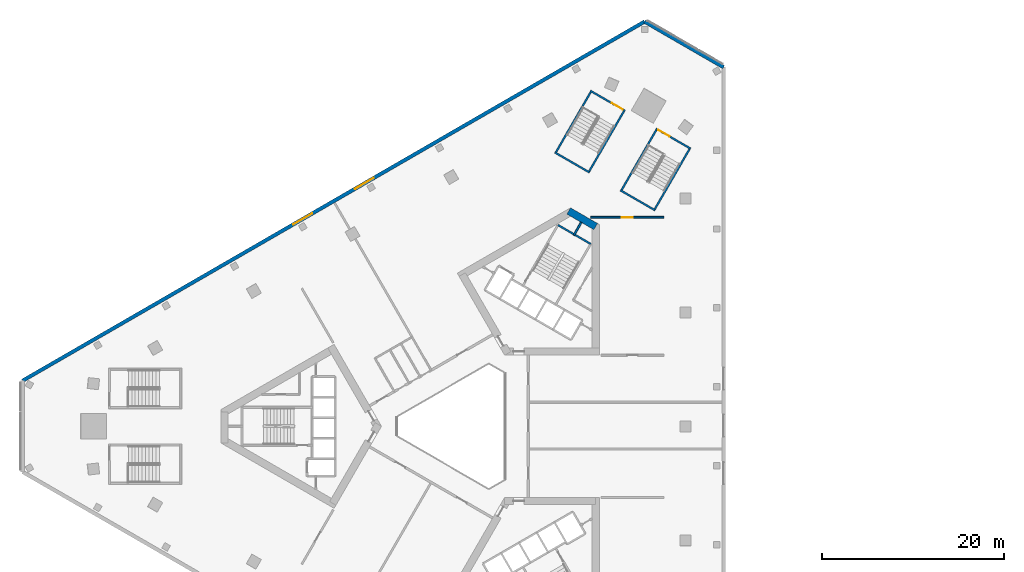
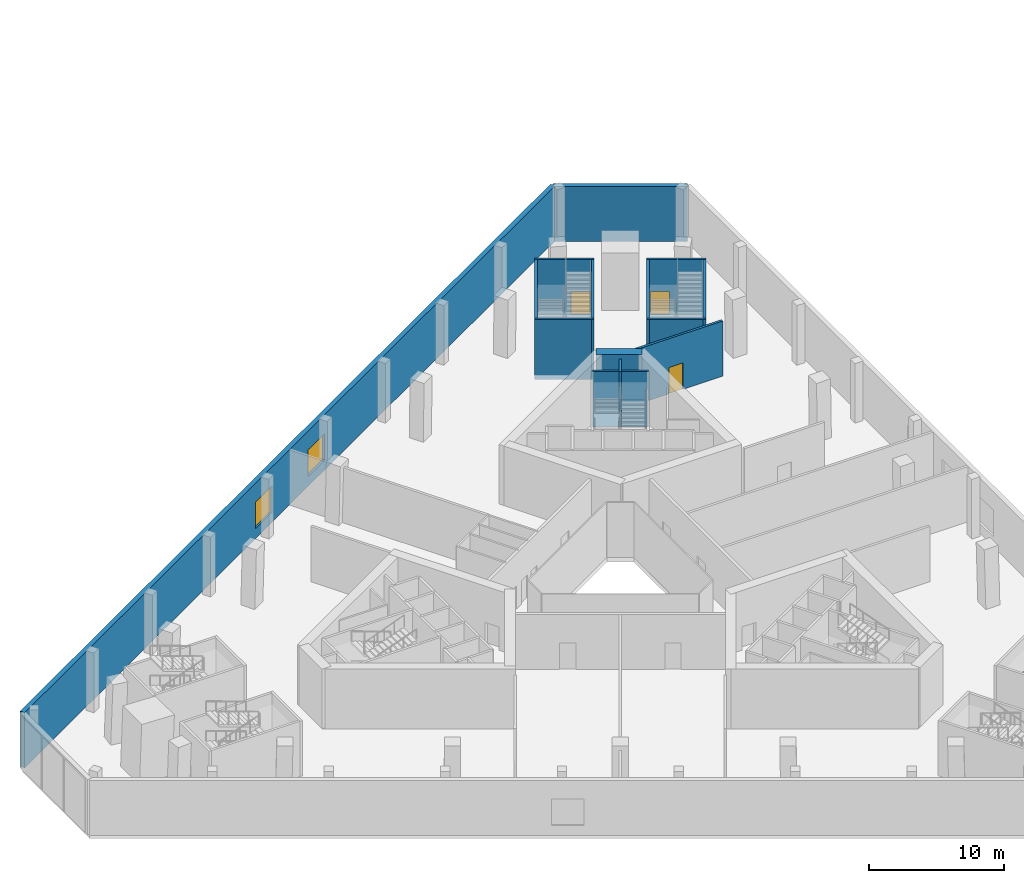
# One storey, part 12 of 35: 14 walls, 3 doors, 2 windows, 5 openings.
"""IFC4 building model written with IfcOpenShell, lengths in metres."""

from ifc_helpers import new_model, si_unit, direction, frame, frame_2d, origin, place, context, subcontext, project, spatial, rectangle, extrude, material, layer, layer_set, type_object, element, fill, save


model = new_model("IFC4")

# Units and contexts
model_context = context("Model", 3, precision=1e-05, world=origin(), true_north=direction((0.0, 1.0)))
body_context = subcontext(model_context, "Body", "Model", "MODEL_VIEW")
ifc_project = project(units=[si_unit("LENGTHUNIT", "METRE"), si_unit("AREAUNIT", "SQUARE_METRE"), si_unit("VOLUMEUNIT", "CUBIC_METRE"), si_unit("PLANEANGLEUNIT", "RADIAN"), si_unit("MASSUNIT", "GRAM", prefix="KILO")], contexts=[model_context])

# Site, building, storey
site_placement = place(None, origin())
site = spatial("IfcSite", under=ifc_project, at=site_placement, CompositionType="ELEMENT")
building_placement = place(site_placement, origin())
building = spatial("IfcBuilding", under=site, at=building_placement, Name="Jabali Bay Hotel Tower and Convention Centre", CompositionType="ELEMENT")
storey_placement = place(building_placement, frame((0.0, 0.0, 15.0)))
storey = spatial("IfcBuildingStorey", under=building, at=storey_placement, Name="L02", CompositionType="ELEMENT", Elevation=15.0)

# Walls
ifc_material_1 = material(Name="Concrete C40", Category="concrete")
ifc_layer_1 = layer(ifc_material_1, 0.199951171875)
ifc_layer_set_1 = layer_set([ifc_layer_1], Name="Concrete C40")
wall_type_1 = type_object("IfcWallType", Name="Core partition wall 200", PredefinedType="PARTITIONING", material=ifc_layer_set_1)
wall_1_placement = place(storey_placement, frame((87.090087890625, 100.9404296875, 0.0), z_axis=(0.0, 0.0, 1.0), x_axis=(0.499956811548, 0.866050337213, 0.0)))
element("IfcWall", 1, at=wall_1_placement, inside=storey, type_object=wall_type_1, Name="Core wall 1.5 L02", PredefinedType="PARTITIONING", context=body_context, shape_type="SweptSolid", body=[
    extrude(rectangle(XDim=1.623291015625, YDim=0.199951171875, at=frame_2d((0.8115234375, 0.0))), origin(), (0.0, 0.0, 1.0), 5.0),
])
ifc_layer_2 = layer(ifc_material_1, 0.199951171875)
ifc_layer_set_2 = layer_set([ifc_layer_2], Name="Concrete C40")
wall_type_2 = type_object("IfcWallType", Name="Core stair wall 200", PredefinedType="SOLIDWALL", material=ifc_layer_set_2)
wall_2_placement = place(storey_placement, frame((88.93701171875, 99.989501953125, 0.0), z_axis=(0.0, 0.0, 1.0), x_axis=(-0.866004344652, 0.500036473714, 0.0)))
element("IfcWall", 2, at=wall_2_placement, inside=storey, type_object=wall_type_2, Name="Core wall 1.16 L02", PredefinedType="SOLIDWALL", context=body_context, shape_type="SweptSolid", body=[
    extrude(rectangle(XDim=4.150146484375, YDim=0.199951171875, at=frame_2d((2.0751953125, 0.0))), origin(), (0.0, 0.0, 1.0), 5.0),
])
ifc_material_2 = material(Name="Concrete C60", Category="concrete")
ifc_layer_3 = layer(ifc_material_2, 0.800048828125)
ifc_layer_set_3 = layer_set([ifc_layer_3], Name="Concrete C60")
wall_type_3 = type_object("IfcWallType", Name="Core wall 800", PredefinedType="SHEAR", material=ifc_layer_set_3)
wall_3_placement = place(storey_placement, frame((89.47998046875, 101.896728515625, 0.0), z_axis=(0.0, 0.0, 1.0), x_axis=(-0.866034355626, 0.499984494636, 0.0)))
element("IfcWall", 3, at=wall_3_placement, inside=storey, type_object=wall_type_3, Name="Core wall 2.3 L02", PredefinedType="SHEAR", context=body_context, shape_type="SweptSolid", body=[
    extrude(rectangle(XDim=3.4140625, YDim=0.800048828125, at=frame_2d((1.70703125, 0.0))), origin(), (0.0, 0.0, 1.0), 5.39990234375),
])

# Wall, opening, door
ifc_material_3 = material(Name="Plasterboard on steel stud", Category="steel")
ifc_layer_4 = layer(ifc_material_3, 0.199951171875)
ifc_layer_set_4 = layer_set([ifc_layer_4], Name="Plasterboard on steel stud")
wall_type_4 = type_object("IfcWallType", Name="Partition 200 party", PredefinedType="PARTITIONING", material=ifc_layer_set_4)
wall_4_placement = place(storey_placement, frame((96.952880859375, 102.908935546875, 0.0), z_axis=(0.0, 0.0, 1.0), x_axis=(-1.0, 0.0, 0.0)))
wall_4 = element("IfcWall", 4, at=wall_4_placement, inside=storey, type_object=wall_type_4, Name="Partition P01 L02 015", PredefinedType="PARTITIONING", context=body_context, shape_type="SweptSolid", body=[
    extrude(rectangle(XDim=8.028076171875, YDim=0.199951171875, at=frame_2d((4.01416015625, 0.0))), origin(), (0.0, 0.0, 1.0), 5.0),
])
opening_1_placement = place(wall_4_placement, frame((3.4140625, 0.0, 0.0)))
opening_1 = element("IfcOpeningElement", 5, at=opening_1_placement, cuts=wall_4, Name="Opening 0213", PredefinedType="OPENING", context=body_context, shape_type="SweptSolid", body=[
    extrude(rectangle(XDim=1.199951171875, YDim=2.39990234375, at=frame_2d((0.60009765625, 1.199951171875))), frame((0.0, 0.1103515625, 0.0), z_axis=(0.0, -1.0, 0.0), x_axis=(1.0, 0.0, 0.0)), (0.0, 0.0, 1.0), 0.220947265625),
])
ifc_material_4 = material(Name="Timber", Category="wood")
door_type_1 = type_object("IfcDoorType", Name="Public room door 1200 x 2400", OperationType="NOTDEFINED", PredefinedType="NOTDEFINED", material=ifc_material_4)
door_1_placement = place(opening_1_placement, origin())
door_1 = element("IfcDoor", 6, at=door_1_placement, inside=storey, type_object=door_type_1, Name="Door 0213", OperationType="SINGLE_SWING_RIGHT", OverallHeight=2.39990234375, OverallWidth=1.199951171875, PredefinedType="NOTDEFINED", context=body_context, shape_type="SweptSolid", body=[
    extrude(rectangle(XDim=1.199951171875, YDim=2.39990234375, at=frame_2d((0.60009765625, 1.199951171875))), frame((0.0, 0.02490234375, 0.0), z_axis=(0.0, -1.0, 0.0), x_axis=(1.0, 0.0, 0.0)), (0.0, 0.0, 1.0), 0.050048828125),
])
fill(opening_1, door_1)

# Wall
ifc_layer_5 = layer(ifc_material_1, 0.39990234375)
ifc_layer_set_5 = layer_set([ifc_layer_5], Name="Concrete C40")
wall_type_5 = type_object("IfcWallType", Name="Podium external wall 400", PredefinedType="SOLIDWALL", material=ifc_layer_set_5)
wall_5_placement = place(storey_placement, frame((94.83984375, 124.363525390625, 0.0), z_axis=(0.0, 0.0, 1.0), x_axis=(0.866022959057, -0.500004234368, 0.0)))
element("IfcWall", 7, at=wall_5_placement, inside=storey, type_object=wall_type_5, Name="External wall north-east chamfer L02", PredefinedType="SOLIDWALL", context=body_context, shape_type="SweptSolid", body=[
    extrude(rectangle(XDim=10.0, YDim=0.39990234375, at=frame_2d((5.0, 0.0))), origin(), (0.0, 0.0, 1.0), 5.0),
])

# Wall, openings, windows
wall_6_placement = place(storey_placement, frame((26.66015625, 85.0, 0.0), z_axis=(0.0, 0.0, 1.0), x_axis=(0.866025599265, 0.499999661418, 0.0)))
wall_6 = element("IfcWall", 8, at=wall_6_placement, inside=storey, type_object=wall_type_5, Name="External wall north-west face L02", PredefinedType="SOLIDWALL", context=body_context, shape_type="SweptSolid", body=[
    extrude(rectangle(XDim=78.72705078125, YDim=0.39990234375, at=frame_2d((39.363525390625, 0.0))), origin(), (0.0, 0.0, 1.0), 5.0),
])
opening_2_placement = place(wall_6_placement, frame((42.060546875, 0.0, 0.89990234375)))
opening_2 = element("IfcOpeningElement", 9, at=opening_2_placement, cuts=wall_6, Name="Opening W3", PredefinedType="OPENING", context=body_context, shape_type="SweptSolid", body=[
    extrude(rectangle(XDim=2.39990234375, YDim=2.39990234375, at=frame_2d((1.199951171875, 1.199951171875))), frame((0.0, 0.21044921875, 0.0), z_axis=(0.0, -1.0, 0.0), x_axis=(1.0, 0.0, 0.0)), (0.0, 0.0, 1.0), 0.4208984375),
])
opening_3_placement = place(wall_6_placement, frame((34.266845703125, 0.0, 0.89990234375)))
opening_3 = element("IfcOpeningElement", 10, at=opening_3_placement, cuts=wall_6, Name="Opening W3", PredefinedType="OPENING", context=body_context, shape_type="SweptSolid", body=[
    extrude(rectangle(XDim=2.39990234375, YDim=2.39990234375, at=frame_2d((1.199951171875, 1.199951171875))), frame((0.0, 0.21044921875, 0.0), z_axis=(0.0, -1.0, 0.0), x_axis=(1.0, 0.0, 0.0)), (0.0, 0.0, 1.0), 0.4208984375),
])
ifc_material_5 = material(Name="Glass", Category="glass")
window_type = type_object("IfcWindowType", Name="Podium window 2400 x 2400", PartitioningType="SINGLE_PANEL", PredefinedType="WINDOW", material=ifc_material_5)
window_1_placement = place(opening_2_placement, origin())
window_1 = element("IfcWindow", 11, at=window_1_placement, inside=storey, type_object=window_type, Name="Window", OverallHeight=2.39990234375, OverallWidth=2.39990234375, PartitioningType="SINGLE_PANEL", PredefinedType="WINDOW", context=body_context, shape_type="SweptSolid", body=[
    extrude(rectangle(XDim=2.39990234375, YDim=2.39990234375, at=frame_2d((1.199951171875, 1.199951171875))), frame((0.0, 0.030029296875, 0.0), z_axis=(0.0, -1.0, 0.0), x_axis=(1.0, 0.0, 0.0)), (0.0, 0.0, 1.0), 0.06005859375),
])
fill(opening_2, window_1)
window_2_placement = place(opening_3_placement, origin())
window_2 = element("IfcWindow", 12, at=window_2_placement, inside=storey, type_object=window_type, Name="Window", OverallHeight=2.39990234375, OverallWidth=2.39990234375, PartitioningType="SINGLE_PANEL", PredefinedType="WINDOW", context=body_context, shape_type="SweptSolid", body=[
    extrude(rectangle(XDim=2.39990234375, YDim=2.39990234375, at=frame_2d((1.199951171875, 1.199951171875))), frame((0.0, 0.030029296875, 0.0), z_axis=(0.0, -1.0, 0.0), x_axis=(1.0, 0.0, 0.0)), (0.0, 0.0, 1.0), 0.06005859375),
])
fill(opening_3, window_2)

# Wall, opening, door
ifc_layer_6 = layer(ifc_material_1, 0.199951171875)
ifc_layer_set_6 = layer_set([ifc_layer_6], Name="Concrete C40")
wall_type_6 = type_object("IfcWallType", Name="Podium stair enclosure wall 200", PredefinedType="SOLIDWALL", material=ifc_layer_set_6)
wall_7_placement = place(storey_placement, frame((92.711181640625, 114.576904296875, -0.39990234375), z_axis=(0.0, 0.0, 1.0), x_axis=(-0.866032203192, 0.499988222896, 0.0)))
wall_7 = element("IfcWall", 13, at=wall_7_placement, inside=storey, type_object=wall_type_6, Name="Podium stair wall 3.1 L02", PredefinedType="SOLIDWALL", context=body_context, shape_type="SweptSolid", body=[
    extrude(rectangle(XDim=4.39990234375, YDim=0.199951171875, at=frame_2d((2.199951171875, 0.0))), origin(), (0.0, 0.0, 1.0), 5.39990234375),
])
opening_4_placement = place(wall_7_placement, frame((0.300048828125, 0.0, 0.39990234375)))
opening_4 = element("IfcOpeningElement", 14, at=opening_4_placement, cuts=wall_7, Name="Opening D1748", PredefinedType="OPENING", context=body_context, shape_type="SweptSolid", body=[
    extrude(rectangle(XDim=1.39990234375, YDim=2.10009765625, at=frame_2d((0.699951171875, 1.050048828125))), frame((0.0, 0.1103515625, 0.0), z_axis=(0.0, -1.0, 0.0), x_axis=(1.0, 0.0, 0.0)), (0.0, 0.0, 1.0), 0.220947265625),
])
ifc_material_6 = material(Name="Fire-rated steel door", Category="steel")
door_type_2 = type_object("IfcDoorType", Name="Podium stair fire door 1400 x 2100", OperationType="NOTDEFINED", PredefinedType="NOTDEFINED", material=ifc_material_6)
door_2_placement = place(opening_4_placement, origin())
door_2 = element("IfcDoor", 15, at=door_2_placement, inside=storey, type_object=door_type_2, Name="Podium stair fire door D1748", OperationType="SINGLE_SWING_RIGHT", OverallHeight=2.10009765625, OverallWidth=1.39990234375, PredefinedType="NOTDEFINED", context=body_context, shape_type="SweptSolid", body=[
    extrude(rectangle(XDim=1.39990234375, YDim=2.10009765625, at=frame_2d((0.699951171875, 1.050048828125))), frame((0.0, 0.02490234375, 0.0), z_axis=(0.0, -1.0, 0.0), x_axis=(1.0, 0.0, 0.0)), (0.0, 0.0, 1.0), 0.050048828125),
])
fill(opening_4, door_2)

# Walls
wall_8_placement = place(storey_placement, frame((89.037353515625, 116.8134765625, -0.39990234375), z_axis=(0.0, 0.0, 1.0), x_axis=(-0.49999894854, -0.866026010844, 0.0)))
element("IfcWall", 16, at=wall_8_placement, inside=storey, type_object=wall_type_6, Name="Podium stair wall 3.2 L02", PredefinedType="SOLIDWALL", context=body_context, shape_type="SweptSolid", body=[
    extrude(rectangle(XDim=8.0, YDim=0.199951171875, at=frame_2d((4.0, 0.0))), origin(), (0.0, 0.0, 1.0), 5.39990234375),
])
wall_9_placement = place(storey_placement, frame((85.000732421875, 110.021728515625, -0.39990234375), z_axis=(0.0, 0.0, 1.0), x_axis=(0.866032203192, -0.499988222896, 0.0)))
element("IfcWall", 17, at=wall_9_placement, inside=storey, type_object=wall_type_6, Name="Podium stair wall 3.3 L02", PredefinedType="SOLIDWALL", context=body_context, shape_type="SweptSolid", body=[
    extrude(rectangle(XDim=4.39990234375, YDim=0.199951171875, at=frame_2d((2.199951171875, 0.0))), origin(), (0.0, 0.0, 1.0), 5.39990234375),
])
wall_10_placement = place(storey_placement, frame((88.674560546875, 107.78515625, -0.39990234375), z_axis=(0.0, 0.0, 1.0), x_axis=(0.49999894854, 0.866026010844, 0.0)))
element("IfcWall", 18, at=wall_10_placement, inside=storey, type_object=wall_type_6, Name="Podium stair wall 3.4 L02", PredefinedType="SOLIDWALL", context=body_context, shape_type="SweptSolid", body=[
    extrude(rectangle(XDim=8.0, YDim=0.199951171875, at=frame_2d((4.0, 0.0))), origin(), (0.0, 0.0, 1.0), 5.39990234375),
])

# Wall, opening, door
wall_11_placement = place(storey_placement, frame((99.899169921875, 110.4267578125, -0.39990234375), z_axis=(0.0, 0.0, 1.0), x_axis=(-0.866018331238, 0.50001224981, 0.0)))
wall_11 = element("IfcWall", 19, at=wall_11_placement, inside=storey, type_object=wall_type_6, Name="Podium stair wall 4.1 L02", PredefinedType="SOLIDWALL", context=body_context, shape_type="SweptSolid", body=[
    extrude(rectangle(XDim=4.39990234375, YDim=0.199951171875, at=frame_2d((2.199951171875, 0.0))), origin(), (0.0, 0.0, 1.0), 5.39990234375),
])
opening_5_placement = place(wall_11_placement, frame((2.699951171875, 0.0, 0.39990234375)))
opening_5 = element("IfcOpeningElement", 20, at=opening_5_placement, cuts=wall_11, Name="Opening D1753", PredefinedType="OPENING", context=body_context, shape_type="SweptSolid", body=[
    extrude(rectangle(XDim=1.39990234375, YDim=2.10009765625, at=frame_2d((0.699951171875, 1.050048828125))), frame((0.0, 0.1103515625, 0.0), z_axis=(0.0, -1.0, 0.0), x_axis=(1.0, 0.0, 0.0)), (0.0, 0.0, 1.0), 0.220947265625),
])
door_3_placement = place(opening_5_placement, origin())
door_3 = element("IfcDoor", 21, at=door_3_placement, inside=storey, type_object=door_type_2, Name="Podium stair fire door D1753", OperationType="SINGLE_SWING_RIGHT", OverallHeight=2.10009765625, OverallWidth=1.39990234375, PredefinedType="NOTDEFINED", context=body_context, shape_type="SweptSolid", body=[
    extrude(rectangle(XDim=1.39990234375, YDim=2.10009765625, at=frame_2d((0.699951171875, 1.050048828125))), frame((0.0, 0.02490234375, 0.0), z_axis=(0.0, -1.0, 0.0), x_axis=(1.0, 0.0, 0.0)), (0.0, 0.0, 1.0), 0.050048828125),
])
fill(opening_5, door_3)

# Walls
wall_12_placement = place(storey_placement, frame((96.225341796875, 112.663330078125, -0.39990234375), z_axis=(0.0, 0.0, 1.0), x_axis=(-0.49999894854, -0.866026010844, 0.0)))
element("IfcWall", 22, at=wall_12_placement, inside=storey, type_object=wall_type_6, Name="Podium stair wall 4.2 L02", PredefinedType="SOLIDWALL", context=body_context, shape_type="SweptSolid", body=[
    extrude(rectangle(XDim=8.0, YDim=0.199951171875, at=frame_2d((4.0, 0.0))), origin(), (0.0, 0.0, 1.0), 5.39990234375),
])
wall_13_placement = place(storey_placement, frame((92.188720703125, 105.871826171875, -0.39990234375), z_axis=(0.0, 0.0, 1.0), x_axis=(0.866032203192, -0.499988222896, 0.0)))
element("IfcWall", 23, at=wall_13_placement, inside=storey, type_object=wall_type_6, Name="Podium stair wall 4.3 L02", PredefinedType="SOLIDWALL", context=body_context, shape_type="SweptSolid", body=[
    extrude(rectangle(XDim=4.39990234375, YDim=0.199951171875, at=frame_2d((2.199951171875, 0.0))), origin(), (0.0, 0.0, 1.0), 5.39990234375),
])
wall_14_placement = place(storey_placement, frame((95.862548828125, 103.63525390625, -0.39990234375), z_axis=(0.0, 0.0, 1.0), x_axis=(0.49999894854, 0.866026010844, 0.0)))
element("IfcWall", 24, at=wall_14_placement, inside=storey, type_object=wall_type_6, Name="Podium stair wall 4.4 L02", PredefinedType="SOLIDWALL", context=body_context, shape_type="SweptSolid", body=[
    extrude(rectangle(XDim=8.0, YDim=0.199951171875, at=frame_2d((4.0, 0.0))), origin(), (0.0, 0.0, 1.0), 5.39990234375),
])

save(model, "model.ifc")
